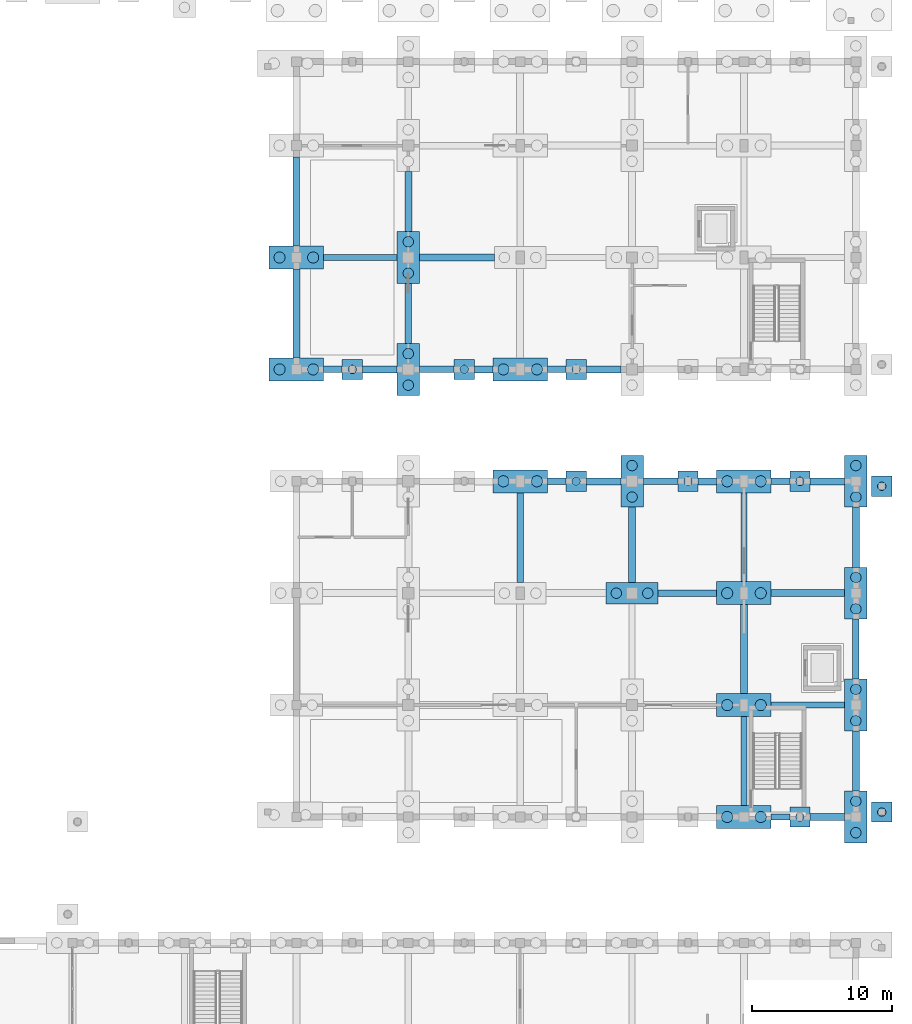
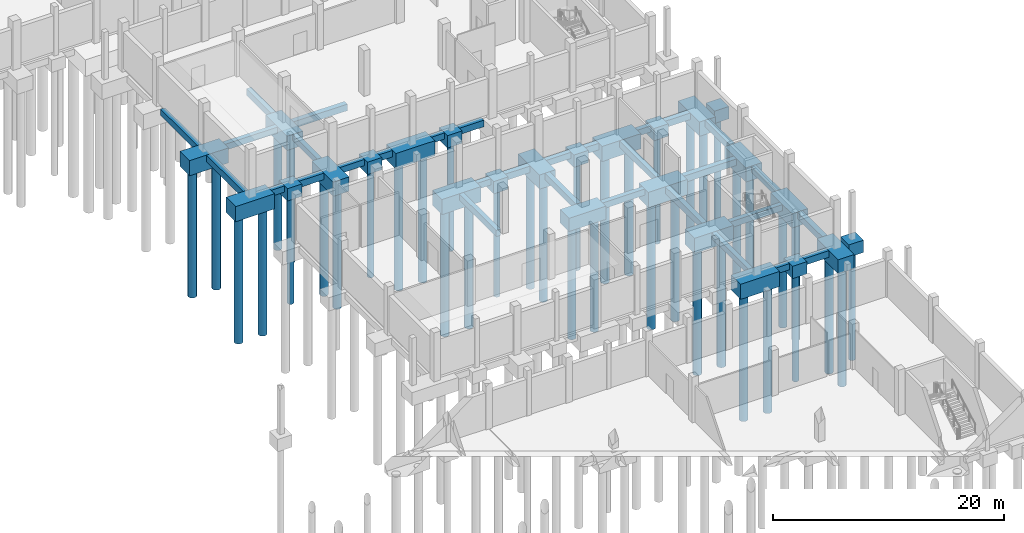
# One storey, part 11 of 52: 56 footings, 41 piles.
"""IFC4 building model written with IfcOpenShell, lengths in metres."""

from ifc_helpers import new_model, si_unit, direction, frame, origin, origin_2d, place, context, subcontext, project, spatial, polyline, rectangle, circle, outline, extrude, material, material_profile, profile_set, type_object, element, save


model = new_model("IFC4")

# Units and contexts
model_context = context("Model", 3, precision=1e-05, world=origin(), true_north=direction((0.0, 1.0)))
body_context = subcontext(model_context, "Body", "Model", "MODEL_VIEW")
ifc_project = project(units=[si_unit("LENGTHUNIT", "METRE"), si_unit("AREAUNIT", "SQUARE_METRE"), si_unit("VOLUMEUNIT", "CUBIC_METRE"), si_unit("PLANEANGLEUNIT", "RADIAN"), si_unit("MASSUNIT", "GRAM", prefix="KILO")], contexts=[model_context])

# Site, building, storey
site_placement = place(None, origin())
site = spatial("IfcSite", under=ifc_project, at=site_placement, CompositionType="ELEMENT")
building_placement = place(site_placement, origin())
building = spatial("IfcBuilding", under=site, at=building_placement, Name="Luwemba Playhouse", CompositionType="ELEMENT")
storey_placement = place(building_placement, frame((0.0, 0.0, -4.800048828125)))
storey = spatial("IfcBuildingStorey", under=building, at=storey_placement, Name="B1", CompositionType="ELEMENT", Elevation=-4.800048828125)

# Footings
ifc_material = material(Name="Concrete C32/40", Category="concrete")
ifc_material_profile_1 = material_profile(ifc_material, rectangle(XDim=0.449951171875, YDim=0.64990234375, at=origin_2d()))
ifc_profile_set_1 = profile_set([ifc_material_profile_1], Name="Concrete C32/40")
footing_type_1 = type_object("IfcFootingType", Name="FTBM-GB1", PredefinedType="FOOTING_BEAM", material=ifc_profile_set_1)
footing_1_placement = place(storey_placement, frame((165.949951171875, 36.0, -0.704833984375), z_axis=(1.0, 0.0, 0.0), x_axis=(0.0, 1.0, 0.0)))
element("IfcFooting", 1, at=footing_1_placement, inside=storey, type_object=footing_type_1, Name="Ground tie-beam 105", PredefinedType="FOOTING_BEAM", context=body_context, shape_type="SweptSolid", body=[
    extrude(rectangle(XDim=0.449951171875, YDim=0.64990234375, at=origin_2d()), origin(), (0.0, 0.0, 1.0), 1.324951171875),
])
footing_2_placement = place(storey_placement, frame((165.949951171875, 44.0, -0.704833984375), z_axis=(1.0, 0.0, 0.0), x_axis=(0.0, 1.0, 0.0)))
element("IfcFooting", 2, at=footing_2_placement, inside=storey, type_object=footing_type_1, Name="Ground tie-beam 117", PredefinedType="FOOTING_BEAM", context=body_context, shape_type="SweptSolid", body=[
    extrude(rectangle(XDim=0.449951171875, YDim=0.64990234375, at=origin_2d()), origin(), (0.0, 0.0, 1.0), 5.25),
])
footing_3_placement = place(storey_placement, frame((157.85009765625, 52.0, -0.704833984375), z_axis=(1.0, 0.0, 0.0), x_axis=(0.0, 1.0, 0.0)))
element("IfcFooting", 3, at=footing_3_placement, inside=storey, type_object=footing_type_1, Name="Ground tie-beam 123", PredefinedType="FOOTING_BEAM", context=body_context, shape_type="SweptSolid", body=[
    extrude(rectangle(XDim=0.449951171875, YDim=0.64990234375, at=origin_2d()), origin(), (0.0, 0.0, 1.0), 4.199951171875),
])
footing_4_placement = place(storey_placement, frame((149.949951171875, 60.0, -0.704833984375), z_axis=(1.0, 0.0, 0.0), x_axis=(0.0, 1.0, 0.0)))
element("IfcFooting", 4, at=footing_4_placement, inside=storey, type_object=footing_type_1, Name="Ground tie-beam 131", PredefinedType="FOOTING_BEAM", context=body_context, shape_type="SweptSolid", body=[
    extrude(rectangle(XDim=0.449951171875, YDim=0.64990234375, at=origin_2d()), origin(), (0.0, 0.0, 1.0), 1.324951171875),
])
footing_5_placement = place(storey_placement, frame((156.800048828125, 60.0, -0.704833984375), z_axis=(1.0, 0.0, 0.0), x_axis=(0.0, 1.0, 0.0)))
element("IfcFooting", 5, at=footing_5_placement, inside=storey, type_object=footing_type_1, Name="Ground tie-beam 133", PredefinedType="FOOTING_BEAM", context=body_context, shape_type="SweptSolid", body=[
    extrude(rectangle(XDim=0.449951171875, YDim=0.64990234375, at=origin_2d()), origin(), (0.0, 0.0, 1.0), 2.474853515625),
])
for number, where, z_axis, x_axis, name in (
    (6, (165.949951171875, 60.0, -0.704833984375), (1.0, 0.0, 0.0), (0.0, 1.0, 0.0), "Ground tie-beam 135"),
    (7, (133.949951171875, 68.0, -0.704833984375), (1.0, 0.0, 0.0), (0.0, 1.0, 0.0), "Ground tie-beam 143"),
):
    element("IfcFooting", number, at=place(storey_placement, frame(where, z_axis=z_axis, x_axis=x_axis)), inside=storey, type_object=footing_type_1, Name=name, PredefinedType="FOOTING_BEAM", context=body_context, shape_type="SweptSolid", body=[
        extrude(rectangle(XDim=0.449951171875, YDim=0.64990234375, at=origin_2d()), origin(), (0.0, 0.0, 1.0), 1.324951171875),
    ])
footing_6_placement = place(storey_placement, frame((140.800048828125, 68.0, -0.704833984375), z_axis=(1.0, 0.0, 0.0), x_axis=(0.0, 1.0, 0.0)))
element("IfcFooting", 8, at=footing_6_placement, inside=storey, type_object=footing_type_1, Name="Ground tie-beam 145", PredefinedType="FOOTING_BEAM", context=body_context, shape_type="SweptSolid", body=[
    extrude(rectangle(XDim=0.449951171875, YDim=0.64990234375, at=origin_2d()), origin(), (0.0, 0.0, 1.0), 2.474853515625),
])
footing_7_placement = place(storey_placement, frame((149.949951171875, 68.0, -0.704833984375), z_axis=(1.0, 0.0, 0.0), x_axis=(0.0, 1.0, 0.0)))
element("IfcFooting", 9, at=footing_7_placement, inside=storey, type_object=footing_type_1, Name="Ground tie-beam 147", PredefinedType="FOOTING_BEAM", context=body_context, shape_type="SweptSolid", body=[
    extrude(rectangle(XDim=0.449951171875, YDim=0.64990234375, at=origin_2d()), origin(), (0.0, 0.0, 1.0), 1.324951171875),
])
footing_8_placement = place(storey_placement, frame((133.949951171875, 76.0, -0.704833984375), z_axis=(1.0, 0.0, 0.0), x_axis=(0.0, 1.0, 0.0)))
element("IfcFooting", 10, at=footing_8_placement, inside=storey, type_object=footing_type_1, Name="Ground tie-beam 155", PredefinedType="FOOTING_BEAM", context=body_context, shape_type="SweptSolid", body=[
    extrude(rectangle(XDim=0.449951171875, YDim=0.64990234375, at=origin_2d()), origin(), (0.0, 0.0, 1.0), 5.25),
])
footing_9_placement = place(storey_placement, frame((132.0, 76.824951171875, -0.704833984375), z_axis=(0.0, 1.0, 0.0), x_axis=(-1.0, 0.0, 0.0)))
element("IfcFooting", 11, at=footing_9_placement, inside=storey, type_object=footing_type_1, Name="Ground tie-beam 369", PredefinedType="FOOTING_BEAM", context=body_context, shape_type="SweptSolid", body=[
    extrude(rectangle(XDim=0.449951171875, YDim=0.64990234375, at=origin_2d()), origin(), (0.0, 0.0, 1.0), 6.35009765625),
])
footing_10_placement = place(storey_placement, frame((140.0, 69.85009765625, -0.704833984375), z_axis=(0.0, 1.0, 0.0), x_axis=(-1.0, 0.0, 0.0)))
element("IfcFooting", 12, at=footing_10_placement, inside=storey, type_object=footing_type_1, Name="Ground tie-beam 379", PredefinedType="FOOTING_BEAM", context=body_context, shape_type="SweptSolid", body=[
    extrude(rectangle(XDim=0.449951171875, YDim=0.64990234375, at=origin_2d()), origin(), (0.0, 0.0, 1.0), 4.2998046875),
])
footing_11_placement = place(storey_placement, frame((148.0, 52.77490234375, -0.704833984375), z_axis=(0.0, 1.0, 0.0), x_axis=(-1.0, 0.0, 0.0)))
element("IfcFooting", 13, at=footing_11_placement, inside=storey, type_object=footing_type_1, Name="Ground tie-beam 389", PredefinedType="FOOTING_BEAM", context=body_context, shape_type="SweptSolid", body=[
    extrude(rectangle(XDim=0.449951171875, YDim=0.64990234375, at=origin_2d()), origin(), (0.0, 0.0, 1.0), 6.400146484375),
])
for number, where, z_axis, x_axis, name in (
    (14, (164.0, 36.824951171875, -0.704833984375), (0.0, 1.0, 0.0), (-1.0, 0.0, 0.0), "Ground tie-beam 409"),
    (15, (164.0, 52.824951171875, -0.704833984375), (0.0, 1.0, 0.0), (-1.0, 0.0, 0.0), "Ground tie-beam 411"),
):
    element("IfcFooting", number, at=place(storey_placement, frame(where, z_axis=z_axis, x_axis=x_axis)), inside=storey, type_object=footing_type_1, Name=name, PredefinedType="FOOTING_BEAM", context=body_context, shape_type="SweptSolid", body=[
        extrude(rectangle(XDim=0.449951171875, YDim=0.64990234375, at=origin_2d()), origin(), (0.0, 0.0, 1.0), 6.35009765625),
    ])
footing_12_placement = place(storey_placement, frame((172.0, 45.85009765625, -0.704833984375), z_axis=(0.0, 1.0, 0.0), x_axis=(-1.0, 0.0, 0.0)))
element("IfcFooting", 16, at=footing_12_placement, inside=storey, type_object=footing_type_1, Name="Ground tie-beam 421", PredefinedType="FOOTING_BEAM", context=body_context, shape_type="SweptSolid", body=[
    extrude(rectangle(XDim=0.449951171875, YDim=0.64990234375, at=origin_2d()), origin(), (0.0, 0.0, 1.0), 4.2998046875),
])
ifc_material_profile_2 = material_profile(ifc_material, rectangle(XDim=0.5, YDim=0.699951171875, at=origin_2d()))
ifc_profile_set_2 = profile_set([ifc_material_profile_2], Name="Concrete C32/40")
footing_type_2 = type_object("IfcFootingType", Name="FTBM-GB2", PredefinedType="FOOTING_BEAM", material=ifc_profile_set_2)
footing_13_placement = place(storey_placement, frame((168.72509765625, 36.0, -0.72998046875), z_axis=(1.0, 0.0, 0.0), x_axis=(0.0, 1.0, 0.0)))
element("IfcFooting", 17, at=footing_13_placement, inside=storey, type_object=footing_type_2, Name="Ground tie-beam 106", PredefinedType="FOOTING_BEAM", context=body_context, shape_type="SweptSolid", body=[
    extrude(rectangle(XDim=0.5, YDim=0.699951171875, at=origin_2d()), origin(), (0.0, 0.0, 1.0), 2.474853515625),
])
footing_14_placement = place(storey_placement, frame((165.949951171875, 52.0, -0.72998046875), z_axis=(1.0, 0.0, 0.0), x_axis=(0.0, 1.0, 0.0)))
element("IfcFooting", 18, at=footing_14_placement, inside=storey, type_object=footing_type_2, Name="Ground tie-beam 124", PredefinedType="FOOTING_BEAM", context=body_context, shape_type="SweptSolid", body=[
    extrude(rectangle(XDim=0.5, YDim=0.699951171875, at=origin_2d()), origin(), (0.0, 0.0, 1.0), 5.25),
])
footing_15_placement = place(storey_placement, frame((152.72509765625, 60.0, -0.72998046875), z_axis=(1.0, 0.0, 0.0), x_axis=(0.0, 1.0, 0.0)))
element("IfcFooting", 19, at=footing_15_placement, inside=storey, type_object=footing_type_2, Name="Ground tie-beam 132", PredefinedType="FOOTING_BEAM", context=body_context, shape_type="SweptSolid", body=[
    extrude(rectangle(XDim=0.5, YDim=0.699951171875, at=origin_2d()), origin(), (0.0, 0.0, 1.0), 2.474853515625),
])
footing_16_placement = place(storey_placement, frame((160.72509765625, 60.0, -0.72998046875), z_axis=(1.0, 0.0, 0.0), x_axis=(0.0, 1.0, 0.0)))
element("IfcFooting", 20, at=footing_16_placement, inside=storey, type_object=footing_type_2, Name="Ground tie-beam 134", PredefinedType="FOOTING_BEAM", context=body_context, shape_type="SweptSolid", body=[
    extrude(rectangle(XDim=0.5, YDim=0.699951171875, at=origin_2d()), origin(), (0.0, 0.0, 1.0), 1.324951171875),
])
for number, where, z_axis, x_axis, name in (
    (21, (168.72509765625, 60.0, -0.72998046875), (1.0, 0.0, 0.0), (0.0, 1.0, 0.0), "Ground tie-beam 136"),
    (22, (136.72509765625, 68.0, -0.72998046875), (1.0, 0.0, 0.0), (0.0, 1.0, 0.0), "Ground tie-beam 144"),
):
    element("IfcFooting", number, at=place(storey_placement, frame(where, z_axis=z_axis, x_axis=x_axis)), inside=storey, type_object=footing_type_2, Name=name, PredefinedType="FOOTING_BEAM", context=body_context, shape_type="SweptSolid", body=[
        extrude(rectangle(XDim=0.5, YDim=0.699951171875, at=origin_2d()), origin(), (0.0, 0.0, 1.0), 2.474853515625),
    ])
footing_17_placement = place(storey_placement, frame((144.72509765625, 68.0, -0.72998046875), z_axis=(1.0, 0.0, 0.0), x_axis=(0.0, 1.0, 0.0)))
element("IfcFooting", 23, at=footing_17_placement, inside=storey, type_object=footing_type_2, Name="Ground tie-beam 146", PredefinedType="FOOTING_BEAM", context=body_context, shape_type="SweptSolid", body=[
    extrude(rectangle(XDim=0.5, YDim=0.699951171875, at=origin_2d()), origin(), (0.0, 0.0, 1.0), 1.324951171875),
])
footing_18_placement = place(storey_placement, frame((152.72509765625, 68.0, -0.72998046875), z_axis=(1.0, 0.0, 0.0), x_axis=(0.0, 1.0, 0.0)))
element("IfcFooting", 24, at=footing_18_placement, inside=storey, type_object=footing_type_2, Name="Ground tie-beam 148", PredefinedType="FOOTING_BEAM", context=body_context, shape_type="SweptSolid", body=[
    extrude(rectangle(XDim=0.5, YDim=0.699951171875, at=origin_2d()), origin(), (0.0, 0.0, 1.0), 2.474853515625),
])
footing_19_placement = place(storey_placement, frame((140.800048828125, 76.0, -0.72998046875), z_axis=(1.0, 0.0, 0.0), x_axis=(0.0, 1.0, 0.0)))
element("IfcFooting", 25, at=footing_19_placement, inside=storey, type_object=footing_type_2, Name="Ground tie-beam 156", PredefinedType="FOOTING_BEAM", context=body_context, shape_type="SweptSolid", body=[
    extrude(rectangle(XDim=0.5, YDim=0.699951171875, at=origin_2d()), origin(), (0.0, 0.0, 1.0), 5.349853515625),
])
footing_20_placement = place(storey_placement, frame((132.0, 68.824951171875, -0.72998046875), z_axis=(0.0, 1.0, 0.0), x_axis=(-1.0, 0.0, 0.0)))
element("IfcFooting", 26, at=footing_20_placement, inside=storey, type_object=footing_type_2, Name="Ground tie-beam 368", PredefinedType="FOOTING_BEAM", context=body_context, shape_type="SweptSolid", body=[
    extrude(rectangle(XDim=0.5, YDim=0.699951171875, at=origin_2d()), origin(), (0.0, 0.0, 1.0), 6.35009765625),
])
footing_21_placement = place(storey_placement, frame((140.0, 77.85009765625, -0.72998046875), z_axis=(0.0, 1.0, 0.0), x_axis=(-1.0, 0.0, 0.0)))
element("IfcFooting", 27, at=footing_21_placement, inside=storey, type_object=footing_type_2, Name="Ground tie-beam 380", PredefinedType="FOOTING_BEAM", context=body_context, shape_type="SweptSolid", body=[
    extrude(rectangle(XDim=0.5, YDim=0.699951171875, at=origin_2d()), origin(), (0.0, 0.0, 1.0), 4.2998046875),
])
footing_22_placement = place(storey_placement, frame((156.0, 52.77490234375, -0.72998046875), z_axis=(0.0, 1.0, 0.0), x_axis=(-1.0, 0.0, 0.0)))
element("IfcFooting", 28, at=footing_22_placement, inside=storey, type_object=footing_type_2, Name="Ground tie-beam 400", PredefinedType="FOOTING_BEAM", context=body_context, shape_type="SweptSolid", body=[
    extrude(rectangle(XDim=0.5, YDim=0.699951171875, at=origin_2d()), origin(), (0.0, 0.0, 1.0), 5.375),
])
footing_23_placement = place(storey_placement, frame((164.0, 44.824951171875, -0.72998046875), z_axis=(0.0, 1.0, 0.0), x_axis=(-1.0, 0.0, 0.0)))
element("IfcFooting", 29, at=footing_23_placement, inside=storey, type_object=footing_type_2, Name="Ground tie-beam 410", PredefinedType="FOOTING_BEAM", context=body_context, shape_type="SweptSolid", body=[
    extrude(rectangle(XDim=0.5, YDim=0.699951171875, at=origin_2d()), origin(), (0.0, 0.0, 1.0), 6.35009765625),
])
for number, where, z_axis, x_axis, name in (
    (30, (172.0, 37.85009765625, -0.72998046875), (0.0, 1.0, 0.0), (-1.0, 0.0, 0.0), "Ground tie-beam 420"),
    (31, (172.0, 53.85009765625, -0.72998046875), (0.0, 1.0, 0.0), (-1.0, 0.0, 0.0), "Ground tie-beam 422"),
):
    element("IfcFooting", number, at=place(storey_placement, frame(where, z_axis=z_axis, x_axis=x_axis)), inside=storey, type_object=footing_type_2, Name=name, PredefinedType="FOOTING_BEAM", context=body_context, shape_type="SweptSolid", body=[
        extrude(rectangle(XDim=0.5, YDim=0.699951171875, at=origin_2d()), origin(), (0.0, 0.0, 1.0), 4.2998046875),
    ])
footing_type_3 = type_object("IfcFootingType", Name="FTG-PC02", PredefinedType="PILE_CAP", material=ifc_material)
footing_24_placement = place(storey_placement, frame((0.0, 0.0, -1.679931640625)))
element("IfcFooting", 32, at=footing_24_placement, inside=storey, type_object=footing_type_3, Name="Pile cap 150", PredefinedType="PILE_CAP", context=body_context, shape_type="SweptSolid", body=[
    extrude(outline(polyline([(167.27490234375, 35.27490234375), (168.72509765625, 35.27490234375), (168.72509765625, 36.72509765625), (167.27490234375, 36.72509765625), (167.27490234375, 35.27490234375)])), origin(), (0.0, 0.0, 1.0), 1.300048828125),
])
footing_25_placement = place(storey_placement, frame((0.0, 0.0, -1.679931640625)))
element("IfcFooting", 33, at=footing_25_placement, inside=storey, type_object=footing_type_3, Name="Pile cap 151", PredefinedType="PILE_CAP", context=body_context, shape_type="SweptSolid", body=[
    extrude(outline(polyline([(173.125, 35.625), (174.574951171875, 35.625), (174.574951171875, 37.074951171875), (173.125, 37.074951171875), (173.125, 35.625)])), origin(), (0.0, 0.0, 1.0), 1.300048828125),
])
footing_26_placement = place(storey_placement, frame((0.0, 0.0, -1.679931640625)))
element("IfcFooting", 34, at=footing_26_placement, inside=storey, type_object=footing_type_3, Name="Pile cap 180", PredefinedType="PILE_CAP", context=body_context, shape_type="SweptSolid", body=[
    extrude(outline(polyline([(173.125, 58.925048828125), (174.574951171875, 58.925048828125), (174.574951171875, 60.375), (173.125, 60.375), (173.125, 58.925048828125)])), origin(), (0.0, 0.0, 1.0), 1.300048828125),
])
footing_27_placement = place(storey_placement, frame((0.0, 0.0, -1.679931640625)))
element("IfcFooting", 35, at=footing_27_placement, inside=storey, type_object=footing_type_3, Name="Pile cap 188", PredefinedType="PILE_CAP", context=body_context, shape_type="SweptSolid", body=[
    extrude(outline(polyline([(151.27490234375, 59.27490234375), (152.72509765625, 59.27490234375), (152.72509765625, 60.72509765625), (151.27490234375, 60.72509765625), (151.27490234375, 59.27490234375)])), origin(), (0.0, 0.0, 1.0), 1.300048828125),
])
footing_28_placement = place(storey_placement, frame((0.0, 0.0, -1.679931640625)))
element("IfcFooting", 36, at=footing_28_placement, inside=storey, type_object=footing_type_3, Name="Pile cap 189", PredefinedType="PILE_CAP", context=body_context, shape_type="SweptSolid", body=[
    extrude(outline(polyline([(159.27490234375, 59.27490234375), (160.72509765625, 59.27490234375), (160.72509765625, 60.72509765625), (159.27490234375, 60.72509765625), (159.27490234375, 59.27490234375)])), origin(), (0.0, 0.0, 1.0), 1.300048828125),
])
footing_29_placement = place(storey_placement, frame((0.0, 0.0, -1.679931640625)))
element("IfcFooting", 37, at=footing_29_placement, inside=storey, type_object=footing_type_3, Name="Pile cap 190", PredefinedType="PILE_CAP", context=body_context, shape_type="SweptSolid", body=[
    extrude(outline(polyline([(167.27490234375, 59.27490234375), (168.72509765625, 59.27490234375), (168.72509765625, 60.72509765625), (167.27490234375, 60.72509765625), (167.27490234375, 59.27490234375)])), origin(), (0.0, 0.0, 1.0), 1.300048828125),
])
footing_30_placement = place(storey_placement, frame((0.0, 0.0, -1.679931640625)))
element("IfcFooting", 38, at=footing_30_placement, inside=storey, type_object=footing_type_3, Name="Pile cap 204", PredefinedType="PILE_CAP", context=body_context, shape_type="SweptSolid", body=[
    extrude(outline(polyline([(135.27490234375, 67.27490234375), (136.72509765625, 67.27490234375), (136.72509765625, 68.72509765625), (135.27490234375, 68.72509765625), (135.27490234375, 67.27490234375)])), origin(), (0.0, 0.0, 1.0), 1.300048828125),
])
footing_31_placement = place(storey_placement, frame((0.0, 0.0, -1.679931640625)))
element("IfcFooting", 39, at=footing_31_placement, inside=storey, type_object=footing_type_3, Name="Pile cap 205", PredefinedType="PILE_CAP", context=body_context, shape_type="SweptSolid", body=[
    extrude(outline(polyline([(143.27490234375, 67.27490234375), (144.72509765625, 67.27490234375), (144.72509765625, 68.72509765625), (143.27490234375, 68.72509765625), (143.27490234375, 67.27490234375)])), origin(), (0.0, 0.0, 1.0), 1.300048828125),
])
footing_32_placement = place(storey_placement, frame((0.0, 0.0, -1.679931640625)))
element("IfcFooting", 40, at=footing_32_placement, inside=storey, type_object=footing_type_3, Name="Pile cap 206", PredefinedType="PILE_CAP", context=body_context, shape_type="SweptSolid", body=[
    extrude(outline(polyline([(151.27490234375, 67.27490234375), (152.72509765625, 67.27490234375), (152.72509765625, 68.72509765625), (151.27490234375, 68.72509765625), (151.27490234375, 67.27490234375)])), origin(), (0.0, 0.0, 1.0), 1.300048828125),
])
footing_type_4 = type_object("IfcFootingType", Name="FTG-PC03", PredefinedType="PILE_CAP", material=ifc_material)
footing_33_placement = place(storey_placement, frame((0.0, 0.0, -1.8798828125)))
element("IfcFooting", 41, at=footing_33_placement, inside=storey, type_object=footing_type_4, Name="Pile cap 130", PredefinedType="PILE_CAP", context=body_context, shape_type="SweptSolid", body=[
    extrude(outline(polyline([(171.199951171875, 34.14990234375), (172.800048828125, 34.14990234375), (172.800048828125, 37.85009765625), (171.199951171875, 37.85009765625), (171.199951171875, 34.14990234375)])), origin(), (0.0, 0.0, 1.0), 1.5),
])
footing_34_placement = place(storey_placement, frame((0.0, 0.0, -1.8798828125)))
element("IfcFooting", 42, at=footing_34_placement, inside=storey, type_object=footing_type_4, Name="Pile cap 157", PredefinedType="PILE_CAP", context=body_context, shape_type="SweptSolid", body=[
    extrude(outline(polyline([(171.199951171875, 42.14990234375), (172.800048828125, 42.14990234375), (172.800048828125, 45.85009765625), (171.199951171875, 45.85009765625), (171.199951171875, 42.14990234375)])), origin(), (0.0, 0.0, 1.0), 1.5),
])
footing_35_placement = place(storey_placement, frame((0.0, 0.0, -1.8798828125)))
element("IfcFooting", 43, at=footing_35_placement, inside=storey, type_object=footing_type_4, Name="Pile cap 168", PredefinedType="PILE_CAP", context=body_context, shape_type="SweptSolid", body=[
    extrude(outline(polyline([(171.199951171875, 50.14990234375), (172.800048828125, 50.14990234375), (172.800048828125, 53.85009765625), (171.199951171875, 53.85009765625), (171.199951171875, 50.14990234375)])), origin(), (0.0, 0.0, 1.0), 1.5),
])
footing_36_placement = place(storey_placement, frame((0.0, 0.0, -1.8798828125)))
element("IfcFooting", 44, at=footing_36_placement, inside=storey, type_object=footing_type_4, Name="Pile cap 178", PredefinedType="PILE_CAP", context=body_context, shape_type="SweptSolid", body=[
    extrude(outline(polyline([(155.199951171875, 58.14990234375), (156.800048828125, 58.14990234375), (156.800048828125, 61.85009765625), (155.199951171875, 61.85009765625), (155.199951171875, 58.14990234375)])), origin(), (0.0, 0.0, 1.0), 1.5),
])
footing_37_placement = place(storey_placement, frame((0.0, 0.0, -1.8798828125)))
element("IfcFooting", 45, at=footing_37_placement, inside=storey, type_object=footing_type_4, Name="Pile cap 179", PredefinedType="PILE_CAP", context=body_context, shape_type="SweptSolid", body=[
    extrude(outline(polyline([(171.199951171875, 58.14990234375), (172.800048828125, 58.14990234375), (172.800048828125, 61.85009765625), (171.199951171875, 61.85009765625), (171.199951171875, 58.14990234375)])), origin(), (0.0, 0.0, 1.0), 1.5),
])
footing_38_placement = place(storey_placement, frame((0.0, 0.0, -1.8798828125)))
element("IfcFooting", 46, at=footing_38_placement, inside=storey, type_object=footing_type_4, Name="Pile cap 196", PredefinedType="PILE_CAP", context=body_context, shape_type="SweptSolid", body=[
    extrude(outline(polyline([(139.199951171875, 66.14990234375), (140.800048828125, 66.14990234375), (140.800048828125, 69.85009765625), (139.199951171875, 69.85009765625), (139.199951171875, 66.14990234375)])), origin(), (0.0, 0.0, 1.0), 1.5),
])
footing_39_placement = place(storey_placement, frame((0.0, 0.0, -1.8798828125)))
element("IfcFooting", 47, at=footing_39_placement, inside=storey, type_object=footing_type_4, Name="Pile cap 212", PredefinedType="PILE_CAP", context=body_context, shape_type="SweptSolid", body=[
    extrude(outline(polyline([(139.199951171875, 74.14990234375), (140.800048828125, 74.14990234375), (140.800048828125, 77.85009765625), (139.199951171875, 77.85009765625), (139.199951171875, 74.14990234375)])), origin(), (0.0, 0.0, 1.0), 1.5),
])
footing_type_5 = type_object("IfcFootingType", Name="FTG-PC04", PredefinedType="PILE_CAP", material=ifc_material)
footing_40_placement = place(storey_placement, frame((0.0, 0.0, -1.97998046875)))
element("IfcFooting", 48, at=footing_40_placement, inside=storey, type_object=footing_type_5, Name="Pile cap 137", PredefinedType="PILE_CAP", context=body_context, shape_type="SweptSolid", body=[
    extrude(outline(polyline([(162.050048828125, 35.175048828125), (165.949951171875, 35.175048828125), (165.949951171875, 36.824951171875), (162.050048828125, 36.824951171875), (162.050048828125, 35.175048828125)])), origin(), (0.0, 0.0, 1.0), 1.60009765625),
])
footing_41_placement = place(storey_placement, frame((0.0, 0.0, -1.97998046875)))
element("IfcFooting", 49, at=footing_41_placement, inside=storey, type_object=footing_type_5, Name="Pile cap 162", PredefinedType="PILE_CAP", context=body_context, shape_type="SweptSolid", body=[
    extrude(outline(polyline([(162.050048828125, 43.175048828125), (165.949951171875, 43.175048828125), (165.949951171875, 44.824951171875), (162.050048828125, 44.824951171875), (162.050048828125, 43.175048828125)])), origin(), (0.0, 0.0, 1.0), 1.60009765625),
])
footing_42_placement = place(storey_placement, frame((0.0, 0.0, -1.97998046875)))
element("IfcFooting", 50, at=footing_42_placement, inside=storey, type_object=footing_type_5, Name="Pile cap 170", PredefinedType="PILE_CAP", context=body_context, shape_type="SweptSolid", body=[
    extrude(outline(polyline([(162.050048828125, 51.175048828125), (165.949951171875, 51.175048828125), (165.949951171875, 52.824951171875), (162.050048828125, 52.824951171875), (162.050048828125, 51.175048828125)])), origin(), (0.0, 0.0, 1.0), 1.60009765625),
])
footing_43_placement = place(storey_placement, frame((0.0, 0.0, -1.97998046875)))
element("IfcFooting", 51, at=footing_43_placement, inside=storey, type_object=footing_type_5, Name="Pile cap 182", PredefinedType="PILE_CAP", context=body_context, shape_type="SweptSolid", body=[
    extrude(outline(polyline([(146.050048828125, 59.175048828125), (149.949951171875, 59.175048828125), (149.949951171875, 60.824951171875), (146.050048828125, 60.824951171875), (146.050048828125, 59.175048828125)])), origin(), (0.0, 0.0, 1.0), 1.60009765625),
])
footing_44_placement = place(storey_placement, frame((0.0, 0.0, -1.97998046875)))
element("IfcFooting", 52, at=footing_44_placement, inside=storey, type_object=footing_type_5, Name="Pile cap 183", PredefinedType="PILE_CAP", context=body_context, shape_type="SweptSolid", body=[
    extrude(outline(polyline([(162.050048828125, 59.175048828125), (165.949951171875, 59.175048828125), (165.949951171875, 60.824951171875), (162.050048828125, 60.824951171875), (162.050048828125, 59.175048828125)])), origin(), (0.0, 0.0, 1.0), 1.60009765625),
])
footing_45_placement = place(storey_placement, frame((0.0, 0.0, -1.97998046875)))
element("IfcFooting", 53, at=footing_45_placement, inside=storey, type_object=footing_type_5, Name="Pile cap 201", PredefinedType="PILE_CAP", context=body_context, shape_type="SweptSolid", body=[
    extrude(outline(polyline([(130.050048828125, 67.175048828125), (133.949951171875, 67.175048828125), (133.949951171875, 68.824951171875), (130.050048828125, 68.824951171875), (130.050048828125, 67.175048828125)])), origin(), (0.0, 0.0, 1.0), 1.60009765625),
])
footing_46_placement = place(storey_placement, frame((0.0, 0.0, -1.97998046875)))
element("IfcFooting", 54, at=footing_46_placement, inside=storey, type_object=footing_type_5, Name="Pile cap 202", PredefinedType="PILE_CAP", context=body_context, shape_type="SweptSolid", body=[
    extrude(outline(polyline([(146.050048828125, 67.175048828125), (149.949951171875, 67.175048828125), (149.949951171875, 68.824951171875), (146.050048828125, 68.824951171875), (146.050048828125, 67.175048828125)])), origin(), (0.0, 0.0, 1.0), 1.60009765625),
])
footing_47_placement = place(storey_placement, frame((0.0, 0.0, -1.97998046875)))
element("IfcFooting", 55, at=footing_47_placement, inside=storey, type_object=footing_type_5, Name="Pile cap 216", PredefinedType="PILE_CAP", context=body_context, shape_type="SweptSolid", body=[
    extrude(outline(polyline([(130.050048828125, 75.175048828125), (133.949951171875, 75.175048828125), (133.949951171875, 76.824951171875), (130.050048828125, 76.824951171875), (130.050048828125, 75.175048828125)])), origin(), (0.0, 0.0, 1.0), 1.60009765625),
])
footing_type_6 = type_object("IfcFootingType", Name="FTG-PC05", PredefinedType="PILE_CAP", material=ifc_material)
footing_48_placement = place(storey_placement, frame((0.0, 0.0, -1.780029296875)))
element("IfcFooting", 56, at=footing_48_placement, inside=storey, type_object=footing_type_6, Name="Pile cap 174", PredefinedType="PILE_CAP", context=body_context, shape_type="SweptSolid", body=[
    extrude(outline(polyline([(154.14990234375, 51.22509765625), (157.85009765625, 51.22509765625), (157.85009765625, 52.77490234375), (154.14990234375, 52.77490234375), (154.14990234375, 51.22509765625)])), origin(), (0.0, 0.0, 1.0), 1.400146484375),
])

# Piles
ifc_material_profile_3 = material_profile(ifc_material, circle(Radius=0.300048828125, at=origin_2d()))
ifc_profile_set_3 = profile_set([ifc_material_profile_3], Name="Concrete C32/40")
pile_type_1 = type_object("IfcPileType", Name="PILE-BP1", PredefinedType="BORED", material=ifc_profile_set_3)
for number, where, z_axis, x_axis, name in (
    (57, (168.0, 36.0, -1.579833984375), (0.0, 0.0, -1.0), (1.0, 0.0, 0.0), "Bored pile 235"),
    (58, (173.85009765625, 36.35009765625, -1.579833984375), (0.0, 0.0, -1.0), (1.0, 0.0, 0.0), "Bored pile 236"),
    (59, (173.85009765625, 59.64990234375, -1.579833984375), (0.0, 0.0, -1.0), (1.0, 0.0, 0.0), "Bored pile 293"),
    (60, (152.0, 60.0, -1.579833984375), (0.0, 0.0, -1.0), (1.0, 0.0, 0.0), "Bored pile 306"),
    (61, (160.0, 60.0, -1.579833984375), (0.0, 0.0, -1.0), (1.0, 0.0, 0.0), "Bored pile 307"),
    (62, (168.0, 60.0, -1.579833984375), (0.0, 0.0, -1.0), (1.0, 0.0, 0.0), "Bored pile 308"),
    (63, (136.0, 68.0, -1.579833984375), (0.0, 0.0, -1.0), (1.0, 0.0, 0.0), "Bored pile 345"),
    (64, (144.0, 68.0, -1.579833984375), (0.0, 0.0, -1.0), (1.0, 0.0, 0.0), "Bored pile 346"),
    (65, (152.0, 68.0, -1.579833984375), (0.0, 0.0, -1.0), (1.0, 0.0, 0.0), "Bored pile 347"),
):
    element("IfcPile", number, at=place(storey_placement, frame(where, z_axis=z_axis, x_axis=x_axis)), inside=storey, type_object=pile_type_1, Name=name, PredefinedType="BORED", context=body_context, shape_type="SweptSolid", body=[
        extrude(circle(Radius=0.300048828125, at=origin_2d()), origin(), (0.0, 0.0, 1.0), 11.5),
    ])
ifc_material_profile_4 = material_profile(ifc_material, circle(Radius=0.375, at=origin_2d()))
ifc_profile_set_4 = profile_set([ifc_material_profile_4], Name="Concrete C32/40")
pile_type_2 = type_object("IfcPileType", Name="PILE-BP2", PredefinedType="BORED", material=ifc_profile_set_4)
for number, where, z_axis, x_axis, name in (
    (66, (172.0, 34.875, -1.780029296875), (0.0, 0.0, -1.0), (1.0, 0.0, 0.0), "Bored pile 207"),
    (67, (172.0, 37.125, -1.780029296875), (0.0, 0.0, -1.0), (1.0, 0.0, 0.0), "Bored pile 208"),
    (68, (172.0, 42.875, -1.780029296875), (0.0, 0.0, -1.0), (1.0, 0.0, 0.0), "Bored pile 247"),
    (69, (172.0, 45.125, -1.780029296875), (0.0, 0.0, -1.0), (1.0, 0.0, 0.0), "Bored pile 248"),
    (70, (172.0, 50.875, -1.780029296875), (0.0, 0.0, -1.0), (1.0, 0.0, 0.0), "Bored pile 269"),
    (71, (172.0, 53.125, -1.780029296875), (0.0, 0.0, -1.0), (1.0, 0.0, 0.0), "Bored pile 270"),
):
    element("IfcPile", number, at=place(storey_placement, frame(where, z_axis=z_axis, x_axis=x_axis)), inside=storey, type_object=pile_type_2, Name=name, PredefinedType="BORED", context=body_context, shape_type="SweptSolid", body=[
        extrude(circle(Radius=0.375, at=origin_2d()), origin(), (0.0, 0.0, 1.0), 12.5),
    ])
for number, where, z_axis, x_axis, name in (
    (72, (154.875, 52.0, -1.679931640625), (0.0, 0.0, -1.0), (1.0, 0.0, 0.0), "Bored pile 281"),
    (73, (157.125, 52.0, -1.679931640625), (0.0, 0.0, -1.0), (1.0, 0.0, 0.0), "Bored pile 282"),
):
    element("IfcPile", number, at=place(storey_placement, frame(where, z_axis=z_axis, x_axis=x_axis)), inside=storey, type_object=pile_type_2, Name=name, PredefinedType="BORED", context=body_context, shape_type="SweptSolid", body=[
        extrude(circle(Radius=0.375, at=origin_2d()), origin(), (0.0, 0.0, 1.0), 12.0),
    ])
for number, where, z_axis, x_axis, name in (
    (74, (156.0, 58.875, -1.780029296875), (0.0, 0.0, -1.0), (1.0, 0.0, 0.0), "Bored pile 289"),
    (75, (156.0, 61.125, -1.780029296875), (0.0, 0.0, -1.0), (1.0, 0.0, 0.0), "Bored pile 290"),
    (76, (172.0, 58.875, -1.780029296875), (0.0, 0.0, -1.0), (1.0, 0.0, 0.0), "Bored pile 291"),
    (77, (172.0, 61.125, -1.780029296875), (0.0, 0.0, -1.0), (1.0, 0.0, 0.0), "Bored pile 292"),
    (78, (140.0, 66.875, -1.780029296875), (0.0, 0.0, -1.0), (1.0, 0.0, 0.0), "Bored pile 329"),
    (79, (140.0, 69.125, -1.780029296875), (0.0, 0.0, -1.0), (1.0, 0.0, 0.0), "Bored pile 330"),
    (80, (140.0, 74.875, -1.780029296875), (0.0, 0.0, -1.0), (1.0, 0.0, 0.0), "Bored pile 359"),
    (81, (140.0, 77.125, -1.780029296875), (0.0, 0.0, -1.0), (1.0, 0.0, 0.0), "Bored pile 360"),
):
    element("IfcPile", number, at=place(storey_placement, frame(where, z_axis=z_axis, x_axis=x_axis)), inside=storey, type_object=pile_type_2, Name=name, PredefinedType="BORED", context=body_context, shape_type="SweptSolid", body=[
        extrude(circle(Radius=0.375, at=origin_2d()), origin(), (0.0, 0.0, 1.0), 12.5),
    ])
ifc_material_profile_5 = material_profile(ifc_material, circle(Radius=0.39990234375, at=origin_2d()))
ifc_profile_set_5 = profile_set([ifc_material_profile_5], Name="Concrete C32/40")
pile_type_3 = type_object("IfcPileType", Name="PILE-BP3", PredefinedType="BORED", material=ifc_profile_set_5)
for number, where, z_axis, x_axis, name in (
    (82, (162.800048828125, 36.0, -1.8798828125), (0.0, 0.0, -1.0), (1.0, 0.0, 0.0), "Bored pile 219"),
    (83, (165.199951171875, 36.0, -1.8798828125), (0.0, 0.0, -1.0), (1.0, 0.0, 0.0), "Bored pile 220"),
    (84, (162.800048828125, 44.0, -1.8798828125), (0.0, 0.0, -1.0), (1.0, 0.0, 0.0), "Bored pile 257"),
    (85, (165.199951171875, 44.0, -1.8798828125), (0.0, 0.0, -1.0), (1.0, 0.0, 0.0), "Bored pile 258"),
    (86, (162.800048828125, 52.0, -1.8798828125), (0.0, 0.0, -1.0), (1.0, 0.0, 0.0), "Bored pile 273"),
    (87, (165.199951171875, 52.0, -1.8798828125), (0.0, 0.0, -1.0), (1.0, 0.0, 0.0), "Bored pile 274"),
    (88, (146.800048828125, 60.0, -1.8798828125), (0.0, 0.0, -1.0), (1.0, 0.0, 0.0), "Bored pile 296"),
    (89, (149.199951171875, 60.0, -1.8798828125), (0.0, 0.0, -1.0), (1.0, 0.0, 0.0), "Bored pile 297"),
    (90, (162.800048828125, 60.0, -1.8798828125), (0.0, 0.0, -1.0), (1.0, 0.0, 0.0), "Bored pile 298"),
    (91, (165.199951171875, 60.0, -1.8798828125), (0.0, 0.0, -1.0), (1.0, 0.0, 0.0), "Bored pile 299"),
    (92, (130.800048828125, 68.0, -1.8798828125), (0.0, 0.0, -1.0), (1.0, 0.0, 0.0), "Bored pile 339"),
    (93, (133.199951171875, 68.0, -1.8798828125), (0.0, 0.0, -1.0), (1.0, 0.0, 0.0), "Bored pile 340"),
    (94, (146.800048828125, 68.0, -1.8798828125), (0.0, 0.0, -1.0), (1.0, 0.0, 0.0), "Bored pile 341"),
    (95, (149.199951171875, 68.0, -1.8798828125), (0.0, 0.0, -1.0), (1.0, 0.0, 0.0), "Bored pile 342"),
    (96, (130.800048828125, 76.0, -1.8798828125), (0.0, 0.0, -1.0), (1.0, 0.0, 0.0), "Bored pile 367"),
    (97, (133.199951171875, 76.0, -1.8798828125), (0.0, 0.0, -1.0), (1.0, 0.0, 0.0), "Bored pile 368"),
):
    element("IfcPile", number, at=place(storey_placement, frame(where, z_axis=z_axis, x_axis=x_axis)), inside=storey, type_object=pile_type_3, Name=name, PredefinedType="BORED", context=body_context, shape_type="SweptSolid", body=[
        extrude(circle(Radius=0.39990234375, at=origin_2d()), origin(), (0.0, 0.0, 1.0), 13.5),
    ])

save(model, "model.ifc")
